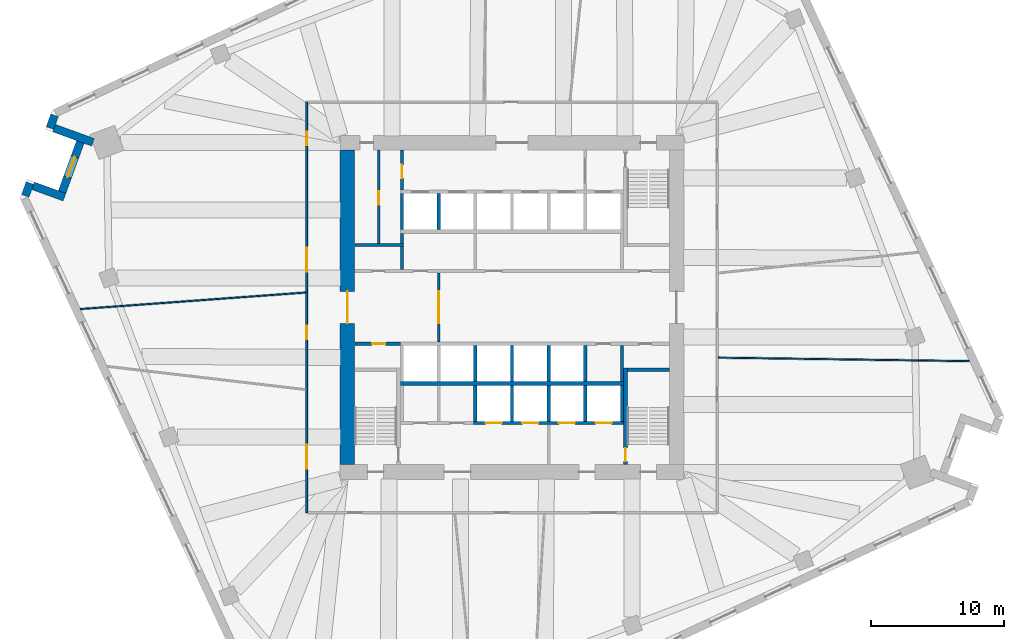
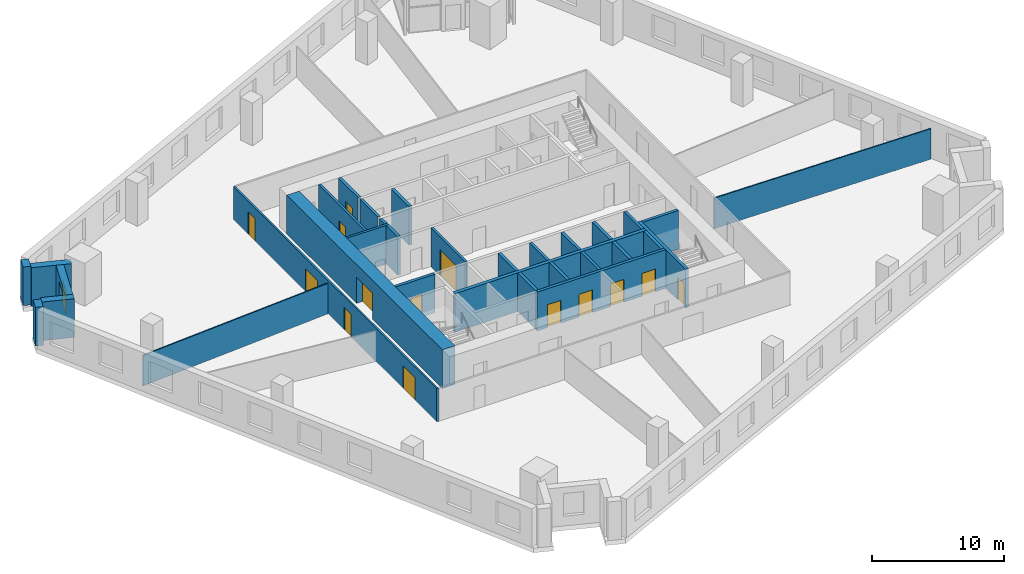
# One storey, part 7 of 12: 32 walls, 14 doors, 1 window, 15 openings.
"""IFC4 building model written with IfcOpenShell, lengths in metres."""

from ifc_helpers import new_model, si_unit, direction, frame, frame_2d, origin, place, context, subcontext, project, spatial, rectangle, extrude, material, layer, layer_set, type_object, element, fill, save


model = new_model("IFC4")

# Units and contexts
model_context = context("Model", 3, precision=1e-05, world=origin(), true_north=direction((0.0, 1.0)))
body_context = subcontext(model_context, "Body", "Model", "MODEL_VIEW")
ifc_project = project(units=[si_unit("LENGTHUNIT", "METRE"), si_unit("AREAUNIT", "SQUARE_METRE"), si_unit("VOLUMEUNIT", "CUBIC_METRE"), si_unit("PLANEANGLEUNIT", "RADIAN"), si_unit("MASSUNIT", "GRAM", prefix="KILO")], contexts=[model_context])

# Site, building, storey
site_placement = place(None, origin())
site = spatial("IfcSite", under=ifc_project, at=site_placement, CompositionType="ELEMENT")
building_placement = place(site_placement, origin())
building = spatial("IfcBuilding", under=site, at=building_placement, Name="Dilmun Exchange Tower", CompositionType="ELEMENT")
storey_placement = place(building_placement, frame((0.0, 0.0, 122.10009765625)))
storey = spatial("IfcBuildingStorey", under=building, at=storey_placement, Name="L28", CompositionType="ELEMENT", Elevation=122.10009765625)

# Wall, opening, door
ifc_material_1 = material(Name="Concrete C40/50", Category="concrete")
ifc_layer_1 = layer(ifc_material_1, 0.199951171875)
ifc_layer_set_1 = layer_set([ifc_layer_1], Name="Concrete C40/50")
wall_type_1 = type_object("IfcWallType", Name="Core partition wall 200", PredefinedType="PARTITIONING", material=ifc_layer_set_1)
wall_1_placement = place(storey_placement, frame((-5.5, -2.594970703125, 0.0), z_axis=(0.0, 0.0, 1.0), x_axis=(0.0, 1.0, 0.0)))
wall_1 = element("IfcWall", 1, at=wall_1_placement, inside=storey, type_object=wall_type_1, Name="L28 core partition wall 08", PredefinedType="PARTITIONING", context=body_context, shape_type="SweptSolid", body=[
    extrude(rectangle(XDim=5.18994140625, YDim=0.199951171875, at=frame_2d((2.594970703125, 0.0))), origin(), (0.0, 0.0, 1.0), 3.579833984375),
])
opening_1_placement = place(wall_1_placement, frame((1.39501953125, 0.0, 0.0)))
opening_1 = element("IfcOpeningElement", 2, at=opening_1_placement, cuts=wall_1, Name="Opening CD1", PredefinedType="OPENING", context=body_context, shape_type="SweptSolid", body=[
    extrude(rectangle(XDim=2.39990234375, YDim=2.39990234375, at=frame_2d((1.199951171875, 1.199951171875))), frame((0.0, 0.10986328125, 0.0), z_axis=(0.0, -1.0, 0.0), x_axis=(1.0, 0.0, 0.0)), (0.0, 0.0, 1.0), 0.219970703125),
])
ifc_material_2 = material(Name="Fire-rated steel door set", Category="steel")
door_type_1 = type_object("IfcDoorType", Name="Core lobby door 2400x2400", OperationType="DOUBLE_DOOR_DOUBLE_SWING", PredefinedType="DOOR", material=ifc_material_2)
door_1_placement = place(opening_1_placement, origin())
door_1 = element("IfcDoor", 3, at=door_1_placement, inside=storey, type_object=door_type_1, Name="L28 door Lift lobby east", OperationType="SINGLE_SWING_LEFT", OverallHeight=2.39990234375, OverallWidth=2.39990234375, PredefinedType="DOOR", context=body_context, shape_type="SweptSolid", body=[
    extrude(rectangle(XDim=2.39990234375, YDim=2.39990234375, at=frame_2d((1.199951171875, 1.199951171875))), frame((0.0, 0.02490234375, 0.0), z_axis=(0.0, -1.0, 0.0), x_axis=(1.0, 0.0, 0.0)), (0.0, 0.0, 1.0), 0.050048828125),
])
fill(opening_1, door_1)

# Wall
wall_2_placement = place(storey_placement, frame((-11.794921875, 4.675048828125, 0.0), z_axis=(0.0, 0.0, 1.0), x_axis=(1.0, 0.0, 0.0)))
element("IfcWall", 4, at=wall_2_placement, inside=storey, type_object=wall_type_1, Name="L28 core partition wall 13", PredefinedType="PARTITIONING", context=body_context, shape_type="SweptSolid", body=[
    extrude(rectangle(XDim=3.64501953125, YDim=0.199951171875, at=frame_2d((1.822509765625, 0.0))), origin(), (0.0, 0.0, 1.0), 3.579833984375),
])

# Wall, opening, door
wall_3_placement = place(storey_placement, frame((-10.0, 4.780029296875, 0.0), z_axis=(0.0, 0.0, 1.0), x_axis=(0.0, 1.0, 0.0)))
wall_3 = element("IfcWall", 5, at=wall_3_placement, inside=storey, type_object=wall_type_1, Name="L28 core partition wall 14", PredefinedType="PARTITIONING", context=body_context, shape_type="SweptSolid", body=[
    extrude(rectangle(XDim=7.014892578125, YDim=0.199951171875, at=frame_2d((3.50732421875, 0.0))), origin(), (0.0, 0.0, 1.0), 3.579833984375),
])
opening_2_placement = place(wall_3_placement, frame((2.919921875, 0.0, 0.0)))
opening_2 = element("IfcOpeningElement", 6, at=opening_2_placement, cuts=wall_3, Name="Opening CD4", PredefinedType="OPENING", context=body_context, shape_type="SweptSolid", body=[
    extrude(rectangle(XDim=1.0, YDim=2.10009765625, at=frame_2d((0.5, 1.050048828125))), frame((0.0, 0.10986328125, 0.0), z_axis=(0.0, -1.0, 0.0), x_axis=(1.0, 0.0, 0.0)), (0.0, 0.0, 1.0), 0.219970703125),
])
door_type_2 = type_object("IfcDoorType", Name="Core room door 1000x2100", OperationType="SINGLE_SWING_LEFT", PredefinedType="DOOR", material=ifc_material_2)
door_2_placement = place(opening_2_placement, origin())
door_2 = element("IfcDoor", 7, at=door_2_placement, inside=storey, type_object=door_type_2, Name="L28 door Comms room", OperationType="SINGLE_SWING_LEFT", OverallHeight=2.10009765625, OverallWidth=1.0, PredefinedType="DOOR", context=body_context, shape_type="SweptSolid", body=[
    extrude(rectangle(XDim=1.0, YDim=2.10009765625, at=frame_2d((0.5, 1.050048828125))), frame((0.0, 0.02490234375, 0.0), z_axis=(0.0, -1.0, 0.0), x_axis=(1.0, 0.0, 0.0)), (0.0, 0.0, 1.0), 0.050048828125),
])
fill(opening_2, door_2)

# Wall
ifc_layer_2 = layer(ifc_material_1, 0.25)
ifc_layer_set_2 = layer_set([ifc_layer_2], Name="Concrete C40/50")
wall_type_2 = type_object("IfcWallType", Name="Core partition wall 250", PredefinedType="PARTITIONING", material=ifc_layer_set_2)
wall_4_placement = place(storey_placement, frame((8.25, -5.544921875, 0.0), z_axis=(0.0, 0.0, 1.0), x_axis=(0.0, 1.0, 0.0)))
element("IfcWall", 8, at=wall_4_placement, inside=storey, type_object=wall_type_2, Name="L28 core partition wall 05", PredefinedType="PARTITIONING", context=body_context, shape_type="SweptSolid", body=[
    extrude(rectangle(XDim=2.68994140625, YDim=0.25, at=frame_2d((1.344970703125, 0.0))), origin(), (0.0, 0.0, 1.0), 3.579833984375),
])

# Wall, opening, door
wall_5_placement = place(storey_placement, frame((-11.794921875, -2.72509765625, 0.0), z_axis=(0.0, 0.0, 1.0), x_axis=(1.0, 0.0, 0.0)))
wall_5 = element("IfcWall", 9, at=wall_5_placement, inside=storey, type_object=wall_type_2, Name="L28 core partition wall 06", PredefinedType="PARTITIONING", context=body_context, shape_type="SweptSolid", body=[
    extrude(rectangle(XDim=3.4150390625, YDim=0.25, at=frame_2d((1.70751953125, 0.0))), origin(), (0.0, 0.0, 1.0), 3.579833984375),
])
opening_3_placement = place(wall_5_placement, frame((1.294921875, 0.0, 0.0)))
opening_3 = element("IfcOpeningElement", 10, at=opening_3_placement, cuts=wall_5, Name="Opening CD4", PredefinedType="OPENING", context=body_context, shape_type="SweptSolid", body=[
    extrude(rectangle(XDim=1.0, YDim=2.10009765625, at=frame_2d((0.5, 1.050048828125))), frame((0.0, 0.135009765625, 0.0), z_axis=(0.0, -1.0, 0.0), x_axis=(1.0, 0.0, 0.0)), (0.0, 0.0, 1.0), 0.27001953125),
])
door_3_placement = place(opening_3_placement, origin())
door_3 = element("IfcDoor", 11, at=door_3_placement, inside=storey, type_object=door_type_2, Name="L28 door Accessible WC", OperationType="SINGLE_SWING_LEFT", OverallHeight=2.10009765625, OverallWidth=1.0, PredefinedType="DOOR", context=body_context, shape_type="SweptSolid", body=[
    extrude(rectangle(XDim=1.0, YDim=2.10009765625, at=frame_2d((0.5, 1.050048828125))), frame((0.0, 0.02490234375, 0.0), z_axis=(0.0, -1.0, 0.0), x_axis=(1.0, 0.0, 0.0)), (0.0, 0.0, 1.0), 0.050048828125),
])
fill(opening_3, door_3)

# Walls
wall_6_placement = place(storey_placement, frame((-8.25, 2.85498046875, 0.0), z_axis=(0.0, 0.0, 1.0), x_axis=(0.0, 1.0, 0.0)))
element("IfcWall", 12, at=wall_6_placement, inside=storey, type_object=wall_type_2, Name="L28 core partition wall 10", PredefinedType="PARTITIONING", context=body_context, shape_type="SweptSolid", body=[
    extrude(rectangle(XDim=1.715087890625, YDim=0.25, at=frame_2d((0.857421875, 0.0))), origin(), (0.0, 0.0, 1.0), 3.579833984375),
])
wall_7_placement = place(storey_placement, frame((-8.25, 4.780029296875, 0.0), z_axis=(0.0, 0.0, 1.0), x_axis=(0.0, 1.0, 0.0)))
element("IfcWall", 13, at=wall_7_placement, inside=storey, type_object=wall_type_2, Name="L28 core partition wall 15", PredefinedType="PARTITIONING", context=body_context, shape_type="SweptSolid", body=[
    extrude(rectangle(XDim=0.764892578125, YDim=0.25, at=frame_2d((0.38232421875, 0.0))), origin(), (0.0, 0.0, 1.0), 3.579833984375),
])

# Wall, opening, door
wall_8_placement = place(storey_placement, frame((-8.25, 8.804931640625, 0.0), z_axis=(0.0, 0.0, 1.0), x_axis=(0.0, 1.0, 0.0)))
wall_8 = element("IfcWall", 14, at=wall_8_placement, inside=storey, type_object=wall_type_2, Name="L28 core partition wall 16", PredefinedType="PARTITIONING", context=body_context, shape_type="SweptSolid", body=[
    extrude(rectangle(XDim=2.989990234375, YDim=0.25, at=frame_2d((1.4951171875, 0.0))), origin(), (0.0, 0.0, 1.0), 3.579833984375),
])
opening_4_placement = place(wall_8_placement, frame((0.89501953125, 0.0, 0.0)))
opening_4 = element("IfcOpeningElement", 15, at=opening_4_placement, cuts=wall_8, Name="Opening CD4", PredefinedType="OPENING", context=body_context, shape_type="SweptSolid", body=[
    extrude(rectangle(XDim=1.0, YDim=2.10009765625, at=frame_2d((0.5, 1.050048828125))), frame((0.0, 0.135009765625, 0.0), z_axis=(0.0, -1.0, 0.0), x_axis=(1.0, 0.0, 0.0)), (0.0, 0.0, 1.0), 0.27001953125),
])
door_4_placement = place(opening_4_placement, origin())
door_4 = element("IfcDoor", 16, at=door_4_placement, inside=storey, type_object=door_type_2, Name="L28 door Security room", OperationType="SINGLE_SWING_LEFT", OverallHeight=2.10009765625, OverallWidth=1.0, PredefinedType="DOOR", context=body_context, shape_type="SweptSolid", body=[
    extrude(rectangle(XDim=1.0, YDim=2.10009765625, at=frame_2d((0.5, 1.050048828125))), frame((0.0, 0.02490234375, 0.0), z_axis=(0.0, -1.0, 0.0), x_axis=(1.0, 0.0, 0.0)), (0.0, 0.0, 1.0), 0.050048828125),
])
fill(opening_4, door_4)

ifc_material_3 = material(Name="Concrete C80/95", Category="concrete")
ifc_layer_3 = layer(ifc_material_3, 1.10009765625)
ifc_layer_set_3 = layer_set([ifc_layer_3], Name="Concrete C80/95")
wall_type_3 = type_object("IfcWallType", Name="Core shear wall 1100 Concrete C80/95", PredefinedType="SHEAR", material=ifc_layer_set_3)
wall_9_placement = place(storey_placement, frame((-12.35009765625, -11.800048828125, 0.0), z_axis=(0.0, 0.0, 1.0), x_axis=(0.0, 1.0, 0.0)))
wall_9 = element("IfcWall", 17, at=wall_9_placement, inside=storey, type_object=wall_type_3, Name="L28 core shear wall W", PredefinedType="SHEAR", context=body_context, shape_type="SweptSolid", body=[
    extrude(rectangle(XDim=23.60009765625, YDim=1.10009765625, at=frame_2d((11.800048828125, 0.0))), origin(), (0.0, 0.0, 1.0), 3.579833984375),
])
opening_5_placement = place(wall_9_placement, frame((10.60009765625, 0.0, 0.0)))
opening_5 = element("IfcOpeningElement", 18, at=opening_5_placement, cuts=wall_9, Name="Opening CD1", PredefinedType="OPENING", context=body_context, shape_type="SweptSolid", body=[
    extrude(rectangle(XDim=2.39990234375, YDim=2.39990234375, at=frame_2d((1.199951171875, 1.199951171875))), frame((0.0, 0.56005859375, 0.0), z_axis=(0.0, -1.0, 0.0), x_axis=(1.0, 0.0, 0.0)), (0.0, 0.0, 1.0), 1.1201171875),
])
door_5_placement = place(opening_5_placement, origin())
door_5 = element("IfcDoor", 19, at=door_5_placement, inside=storey, type_object=door_type_1, Name="L28 door Central lift lobby", OperationType="SINGLE_SWING_LEFT", OverallHeight=2.39990234375, OverallWidth=2.39990234375, PredefinedType="DOOR", context=body_context, shape_type="SweptSolid", body=[
    extrude(rectangle(XDim=2.39990234375, YDim=2.39990234375, at=frame_2d((1.199951171875, 1.199951171875))), frame((0.0, 0.02490234375, 0.0), z_axis=(0.0, -1.0, 0.0), x_axis=(1.0, 0.0, 0.0)), (0.0, 0.0, 1.0), 0.050048828125),
])
fill(opening_5, door_5)

# Wall, openings, doors
ifc_material_4 = material(Name="Corridor wall 150")
ifc_layer_4 = layer(ifc_material_4, 0.14990234375)
ifc_layer_set_4 = layer_set([ifc_layer_4], Name="Corridor wall 150")
wall_type_4 = type_object("IfcWallType", Name="Corridor wall 150", PredefinedType="PARTITIONING", material=ifc_layer_set_4)
wall_10_placement = place(storey_placement, frame((-15.39990234375, -15.39990234375, 0.0), z_axis=(0.0, 0.0, 1.0), x_axis=(0.0, 1.0, 0.0)))
wall_10 = element("IfcWall", 20, at=wall_10_placement, inside=storey, type_object=wall_type_4, Name="Corridor wall", PredefinedType="PARTITIONING", context=body_context, shape_type="SweptSolid", body=[
    extrude(rectangle(XDim=30.7998046875, YDim=0.14990234375, at=frame_2d((15.39990234375, 0.0))), origin(), (0.0, 0.0, 1.0), 3.079833984375),
])
opening_6_placement = place(wall_10_placement, frame((13.023681640625, 0.0, 0.0)))
opening_6 = element("IfcOpeningElement", 21, at=opening_6_placement, cuts=wall_10, Name="Opening TF28-D01", PredefinedType="OPENING", context=body_context, shape_type="SweptSolid", body=[
    extrude(rectangle(XDim=1.0, YDim=2.10009765625, at=frame_2d((0.5, 1.050048828125))), frame((0.0, 0.0849609375, 0.0), z_axis=(0.0, -1.0, 0.0), x_axis=(1.0, 0.0, 0.0)), (0.0, 0.0, 1.0), 0.169921875),
])
opening_7_placement = place(wall_10_placement, frame((18.06884765625, 0.0, 0.0)))
opening_7 = element("IfcOpeningElement", 22, at=opening_7_placement, cuts=wall_10, Name="Opening TF28-D02", PredefinedType="OPENING", context=body_context, shape_type="SweptSolid", body=[
    extrude(rectangle(XDim=1.800048828125, YDim=2.10009765625, at=frame_2d((0.89990234375, 1.050048828125))), frame((0.0, 0.0849609375, 0.0), z_axis=(0.0, -1.0, 0.0), x_axis=(1.0, 0.0, 0.0)), (0.0, 0.0, 1.0), 0.169921875),
])
opening_8_placement = place(wall_10_placement, frame((27.56884765625, 0.0, 0.0)))
opening_8 = element("IfcOpeningElement", 23, at=opening_8_placement, cuts=wall_10, Name="Opening TF28-D03", PredefinedType="OPENING", context=body_context, shape_type="SweptSolid", body=[
    extrude(rectangle(XDim=1.0, YDim=2.10009765625, at=frame_2d((0.5, 1.050048828125))), frame((0.0, 0.0849609375, 0.0), z_axis=(0.0, -1.0, 0.0), x_axis=(1.0, 0.0, 0.0)), (0.0, 0.0, 1.0), 0.169921875),
])
opening_9_placement = place(wall_10_placement, frame((3.300048828125, 0.0, 0.0)))
opening_9 = element("IfcOpeningElement", 24, at=opening_9_placement, cuts=wall_10, Name="Opening TF28-D04", PredefinedType="OPENING", context=body_context, shape_type="SweptSolid", body=[
    extrude(rectangle(XDim=1.800048828125, YDim=2.10009765625, at=frame_2d((0.89990234375, 1.050048828125))), frame((0.0, 0.0849609375, 0.0), z_axis=(0.0, -1.0, 0.0), x_axis=(1.0, 0.0, 0.0)), (0.0, 0.0, 1.0), 0.169921875),
])
ifc_material_5 = material(Name="Fire door 1000 x 2100")
door_type_3 = type_object("IfcDoorType", Name="Fire door 1000 x 2100", OperationType="NOTDEFINED", PredefinedType="DOOR", material=ifc_material_5)
door_6_placement = place(opening_6_placement, origin())
door_6 = element("IfcDoor", 25, at=door_6_placement, inside=storey, type_object=door_type_3, Name="Door TF28-D01", OperationType="SINGLE_SWING_RIGHT", OverallHeight=2.10009765625, OverallWidth=1.0, PredefinedType="DOOR", context=body_context, shape_type="SweptSolid", body=[
    extrude(rectangle(XDim=1.0, YDim=2.10009765625, at=frame_2d((0.5, 1.050048828125))), frame((0.0, 0.02490234375, 0.0), z_axis=(0.0, -1.0, 0.0), x_axis=(1.0, 0.0, 0.0)), (0.0, 0.0, 1.0), 0.050048828125),
])
fill(opening_6, door_6)
door_7_placement = place(opening_8_placement, origin())
door_7 = element("IfcDoor", 26, at=door_7_placement, inside=storey, type_object=door_type_3, Name="Door TF28-D03", OperationType="SINGLE_SWING_LEFT", OverallHeight=2.10009765625, OverallWidth=1.0, PredefinedType="DOOR", context=body_context, shape_type="SweptSolid", body=[
    extrude(rectangle(XDim=1.0, YDim=2.10009765625, at=frame_2d((0.5, 1.050048828125))), frame((0.0, 0.02490234375, 0.0), z_axis=(0.0, -1.0, 0.0), x_axis=(1.0, 0.0, 0.0)), (0.0, 0.0, 1.0), 0.050048828125),
])
fill(opening_8, door_7)
ifc_material_6 = material(Name="Fire door pair 1800 x 2100")
door_type_4 = type_object("IfcDoorType", Name="Fire door pair 1800 x 2100", OperationType="NOTDEFINED", PredefinedType="DOOR", material=ifc_material_6)
door_8_placement = place(opening_7_placement, origin())
door_8 = element("IfcDoor", 27, at=door_8_placement, inside=storey, type_object=door_type_4, Name="Door TF28-D02", OperationType="DOUBLE_DOOR_SINGLE_SWING", OverallHeight=2.10009765625, OverallWidth=1.800048828125, PredefinedType="DOOR", context=body_context, shape_type="SweptSolid", body=[
    extrude(rectangle(XDim=1.800048828125, YDim=2.10009765625, at=frame_2d((0.89990234375, 1.050048828125))), frame((0.0, 0.02490234375, 0.0), z_axis=(0.0, -1.0, 0.0), x_axis=(1.0, 0.0, 0.0)), (0.0, 0.0, 1.0), 0.050048828125),
])
fill(opening_7, door_8)
door_9_placement = place(opening_9_placement, origin())
door_9 = element("IfcDoor", 28, at=door_9_placement, inside=storey, type_object=door_type_4, Name="Door TF28-D04", OperationType="DOUBLE_DOOR_SINGLE_SWING", OverallHeight=2.10009765625, OverallWidth=1.800048828125, PredefinedType="DOOR", context=body_context, shape_type="SweptSolid", body=[
    extrude(rectangle(XDim=1.800048828125, YDim=2.10009765625, at=frame_2d((0.89990234375, 1.050048828125))), frame((0.0, 0.02490234375, 0.0), z_axis=(0.0, -1.0, 0.0), x_axis=(1.0, 0.0, 0.0)), (0.0, 0.0, 1.0), 0.050048828125),
])
fill(opening_9, door_9)

# Walls
ifc_layer_5 = layer(ifc_material_1, 0.300048828125)
ifc_layer_set_5 = layer_set([ifc_layer_5], Name="Concrete C40/50")
wall_type_5 = type_object("IfcWallType", Name="Lift shaft shared wall 300", PredefinedType="SOLIDWALL", material=ifc_layer_set_5)
wall_11_placement = place(storey_placement, frame((-8.375, -5.699951171875, 0.0), z_axis=(0.0, 0.0, 1.0), x_axis=(1.0, 0.0, 0.0)))
element("IfcWall", 29, at=wall_11_placement, inside=storey, type_object=wall_type_5, Name="L28 lift shaft rear wall S", PredefinedType="SOLIDWALL", context=body_context, shape_type="SweptSolid", body=[
    extrude(rectangle(XDim=16.75, YDim=0.300048828125, at=frame_2d((8.375, 0.0))), origin(), (0.0, 0.0, 1.0), 3.579833984375),
])
ifc_layer_6 = layer(ifc_material_1, 0.25)
ifc_layer_set_6 = layer_set([ifc_layer_6], Name="Concrete C40/50")
wall_type_6 = type_object("IfcWallType", Name="Lift shaft wall 250", PredefinedType="SOLIDWALL", material=ifc_layer_set_6)
for number, where, z_axis, x_axis, name in (
    (30, (-8.25, 5.85009765625, 0.0), (0.0, 0.0, 1.0), (0.0, 1.0, 0.0), "L28 lift shaft divider N20"),
    (31, (-5.5, 5.85009765625, 0.0), (0.0, 0.0, 1.0), (0.0, 1.0, 0.0), "L28 lift shaft divider N21"),
    (32, (-2.75, -5.550048828125, 0.0), (0.0, 0.0, 1.0), (0.0, 1.0, 0.0), "L28 lift shaft divider S12"),
    (33, (0.0, -5.550048828125, 0.0), (0.0, 0.0, 1.0), (0.0, 1.0, 0.0), "L28 lift shaft divider S13"),
    (34, (2.75, -5.550048828125, 0.0), (0.0, 0.0, 1.0), (0.0, 1.0, 0.0), "L28 lift shaft divider S14"),
    (35, (5.5, -5.550048828125, 0.0), (0.0, 0.0, 1.0), (0.0, 1.0, 0.0), "L28 lift shaft divider S15"),
):
    element("IfcWall", number, at=place(storey_placement, frame(where, z_axis=z_axis, x_axis=x_axis)), inside=storey, type_object=wall_type_6, Name=name, PredefinedType="SOLIDWALL", context=body_context, shape_type="SweptSolid", body=[
        extrude(rectangle(XDim=2.699951171875, YDim=0.25, at=frame_2d((1.35009765625, 0.0))), origin(), (0.0, 0.0, 1.0), 3.579833984375),
    ])

# Wall, openings, doors
wall_12_placement = place(storey_placement, frame((-2.875, -8.675048828125, 0.0), z_axis=(0.0, 0.0, 1.0), x_axis=(1.0, 0.0, 0.0)))
wall_12 = element("IfcWall", 36, at=wall_12_placement, inside=storey, type_object=wall_type_6, Name="L28 lift shaft front wall S2", PredefinedType="SOLIDWALL", context=body_context, shape_type="SweptSolid", body=[
    extrude(rectangle(XDim=11.25, YDim=0.25, at=frame_2d((5.625, 0.0))), origin(), (0.0, 0.0, 1.0), 3.579833984375),
])
opening_10_placement = place(wall_12_placement, frame((0.89990234375, 0.0, 0.0)))
opening_10 = element("IfcOpeningElement", 37, at=opening_10_placement, cuts=wall_12, Name="Opening LD", PredefinedType="OPENING", context=body_context, shape_type="SweptSolid", body=[
    extrude(rectangle(XDim=1.199951171875, YDim=2.10009765625, at=frame_2d((0.60009765625, 1.050048828125))), frame((0.0, 0.135009765625, 0.0), z_axis=(0.0, -1.0, 0.0), x_axis=(1.0, 0.0, 0.0)), (0.0, 0.0, 1.0), 0.27001953125),
])
opening_11_placement = place(wall_12_placement, frame((3.64990234375, 0.0, 0.0)))
opening_11 = element("IfcOpeningElement", 38, at=opening_11_placement, cuts=wall_12, Name="Opening LD", PredefinedType="OPENING", context=body_context, shape_type="SweptSolid", body=[
    extrude(rectangle(XDim=1.199951171875, YDim=2.10009765625, at=frame_2d((0.60009765625, 1.050048828125))), frame((0.0, 0.135009765625, 0.0), z_axis=(0.0, -1.0, 0.0), x_axis=(1.0, 0.0, 0.0)), (0.0, 0.0, 1.0), 0.27001953125),
])
opening_12_placement = place(wall_12_placement, frame((6.39990234375, 0.0, 0.0)))
opening_12 = element("IfcOpeningElement", 39, at=opening_12_placement, cuts=wall_12, Name="Opening LD", PredefinedType="OPENING", context=body_context, shape_type="SweptSolid", body=[
    extrude(rectangle(XDim=1.199951171875, YDim=2.10009765625, at=frame_2d((0.60009765625, 1.050048828125))), frame((0.0, 0.135009765625, 0.0), z_axis=(0.0, -1.0, 0.0), x_axis=(1.0, 0.0, 0.0)), (0.0, 0.0, 1.0), 0.27001953125),
])
opening_13_placement = place(wall_12_placement, frame((9.14990234375, 0.0, 0.0)))
opening_13 = element("IfcOpeningElement", 40, at=opening_13_placement, cuts=wall_12, Name="Opening LD", PredefinedType="OPENING", context=body_context, shape_type="SweptSolid", body=[
    extrude(rectangle(XDim=1.199951171875, YDim=2.10009765625, at=frame_2d((0.60009765625, 1.050048828125))), frame((0.0, 0.135009765625, 0.0), z_axis=(0.0, -1.0, 0.0), x_axis=(1.0, 0.0, 0.0)), (0.0, 0.0, 1.0), 0.27001953125),
])
door_type_5 = type_object("IfcDoorType", Name="Lift landing door 1200x2100", OperationType="DOUBLE_DOOR_SLIDING", PredefinedType="DOOR", material=ifc_material_2)
door_10_placement = place(opening_10_placement, origin())
door_10 = element("IfcDoor", 41, at=door_10_placement, inside=storey, type_object=door_type_5, Name="L28 landing door SV1", OperationType="DOUBLE_DOOR_SLIDING", OverallHeight=2.10009765625, OverallWidth=1.199951171875, PredefinedType="DOOR", context=body_context, shape_type="SweptSolid", body=[
    extrude(rectangle(XDim=1.199951171875, YDim=2.10009765625, at=frame_2d((0.60009765625, 1.050048828125))), frame((0.0, 0.02490234375, 0.0), z_axis=(0.0, -1.0, 0.0), x_axis=(1.0, 0.0, 0.0)), (0.0, 0.0, 1.0), 0.050048828125),
])
fill(opening_10, door_10)
door_11_placement = place(opening_11_placement, origin())
door_11 = element("IfcDoor", 42, at=door_11_placement, inside=storey, type_object=door_type_5, Name="L28 landing door SV2", OperationType="DOUBLE_DOOR_SLIDING", OverallHeight=2.10009765625, OverallWidth=1.199951171875, PredefinedType="DOOR", context=body_context, shape_type="SweptSolid", body=[
    extrude(rectangle(XDim=1.199951171875, YDim=2.10009765625, at=frame_2d((0.60009765625, 1.050048828125))), frame((0.0, 0.02490234375, 0.0), z_axis=(0.0, -1.0, 0.0), x_axis=(1.0, 0.0, 0.0)), (0.0, 0.0, 1.0), 0.050048828125),
])
fill(opening_11, door_11)
door_12_placement = place(opening_12_placement, origin())
door_12 = element("IfcDoor", 43, at=door_12_placement, inside=storey, type_object=door_type_5, Name="L28 landing door FF1", OperationType="DOUBLE_DOOR_SLIDING", OverallHeight=2.10009765625, OverallWidth=1.199951171875, PredefinedType="DOOR", context=body_context, shape_type="SweptSolid", body=[
    extrude(rectangle(XDim=1.199951171875, YDim=2.10009765625, at=frame_2d((0.60009765625, 1.050048828125))), frame((0.0, 0.02490234375, 0.0), z_axis=(0.0, -1.0, 0.0), x_axis=(1.0, 0.0, 0.0)), (0.0, 0.0, 1.0), 0.050048828125),
])
fill(opening_12, door_12)
door_13_placement = place(opening_13_placement, origin())
door_13 = element("IfcDoor", 44, at=door_13_placement, inside=storey, type_object=door_type_5, Name="L28 landing door FF2", OperationType="DOUBLE_DOOR_SLIDING", OverallHeight=2.10009765625, OverallWidth=1.199951171875, PredefinedType="DOOR", context=body_context, shape_type="SweptSolid", body=[
    extrude(rectangle(XDim=1.199951171875, YDim=2.10009765625, at=frame_2d((0.60009765625, 1.050048828125))), frame((0.0, 0.02490234375, 0.0), z_axis=(0.0, -1.0, 0.0), x_axis=(1.0, 0.0, 0.0)), (0.0, 0.0, 1.0), 0.050048828125),
])
fill(opening_13, door_13)

# Walls
for number, where, z_axis, x_axis, name in (
    (45, (-2.75, -8.550048828125, 0.0), (0.0, 0.0, 1.0), (0.0, 1.0, 0.0), "L28 lift shaft divider S22"),
    (46, (0.0, -8.550048828125, 0.0), (0.0, 0.0, 1.0), (0.0, 1.0, 0.0), "L28 lift shaft divider S23"),
    (47, (2.75, -8.550048828125, 0.0), (0.0, 0.0, 1.0), (0.0, 1.0, 0.0), "L28 lift shaft divider S24"),
    (48, (5.5, -8.550048828125, 0.0), (0.0, 0.0, 1.0), (0.0, 1.0, 0.0), "L28 lift shaft divider S25"),
    (49, (8.25, -8.550048828125, 0.0), (0.0, 0.0, 1.0), (0.0, 1.0, 0.0), "L28 lift shaft divider S26"),
):
    element("IfcWall", number, at=place(storey_placement, frame(where, z_axis=z_axis, x_axis=x_axis)), inside=storey, type_object=wall_type_6, Name=name, PredefinedType="SOLIDWALL", context=body_context, shape_type="SweptSolid", body=[
        extrude(rectangle(XDim=2.699951171875, YDim=0.25, at=frame_2d((1.35009765625, 0.0))), origin(), (0.0, 0.0, 1.0), 3.579833984375),
    ])
ifc_material_7 = material(Name="Partition 100")
ifc_layer_7 = layer(ifc_material_7, 0.10009765625)
ifc_layer_set_7 = layer_set([ifc_layer_7], Name="Partition 100")
wall_type_7 = type_object("IfcWallType", Name="Partition 100", PredefinedType="PARTITIONING", material=ifc_layer_set_7)
wall_13_placement = place(storey_placement, frame((-32.37890625, -0.124755859375, 0.0), z_axis=(0.0, 0.0, 1.0), x_axis=(0.997314918509, 0.073232187723, 0.0)))
element("IfcWall", 50, at=wall_13_placement, inside=storey, type_object=wall_type_7, Name="Partition", PredefinedType="PARTITIONING", context=body_context, shape_type="SweptSolid", body=[
    extrude(rectangle(XDim=16.945556640625, YDim=0.10009765625, at=frame_2d((8.47265625, 0.0))), origin(), (0.0, 0.0, 1.0), 2.829833984375),
])
wall_14_placement = place(storey_placement, frame((15.4755859375, -3.76904296875, 0.0), z_axis=(0.0, 0.0, 1.0), x_axis=(0.999901379767, -0.014043886234, 0.0)))
element("IfcWall", 51, at=wall_14_placement, inside=storey, type_object=wall_type_7, Name="Partition", PredefinedType="PARTITIONING", context=body_context, shape_type="SweptSolid", body=[
    extrude(rectangle(XDim=18.844482421875, YDim=0.10009765625, at=frame_2d((9.42236328125, 0.0))), origin(), (0.0, 0.0, 1.0), 2.829833984375),
])
ifc_material_8 = material(Name="Precast concrete C50/60", Category="concrete")
ifc_layer_8 = layer(ifc_material_8, 0.60009765625)
ifc_layer_set_8 = layer_set([ifc_layer_8], Name="Precast concrete C50/60")
wall_type_8 = type_object("IfcWallType", Name="Precast stone-clad wall 600", PredefinedType="STANDARD", material=ifc_layer_set_8)
wall_15_placement = place(storey_placement, frame((-34.320068359375, 14.40380859375, 0.0), z_axis=(0.0, 0.0, 1.0), x_axis=(-0.342111355193, -0.939659417368, 0.0)))
element("IfcWall", 52, at=wall_15_placement, inside=storey, type_object=wall_type_8, Name="Facade wall L28-04", PredefinedType="STANDARD", context=body_context, shape_type="SweptSolid", body=[
    extrude(rectangle(XDim=1.01123046875, YDim=0.60009765625, at=frame_2d((0.505615234375, 0.0))), origin(), (0.0, 0.0, 1.0), 3.579833984375),
])
wall_16_placement = place(storey_placement, frame((-34.349853515625, 13.44482421875, 0.0), z_axis=(0.0, 0.0, 1.0), x_axis=(0.939708408288, -0.341976764406, 0.0)))
element("IfcWall", 53, at=wall_16_placement, inside=storey, type_object=wall_type_8, Name="Facade wall L28-05", PredefinedType="STANDARD", context=body_context, shape_type="SweptSolid", body=[
    extrude(rectangle(XDim=3.103271484375, YDim=0.60009765625, at=frame_2d((1.5517578125, 0.0))), origin(), (0.0, 0.0, 1.0), 3.579833984375),
])

# Wall, opening, window
wall_17_placement = place(storey_placement, frame((-32.385009765625, 12.41064453125, 0.0), z_axis=(0.0, 0.0, 1.0), x_axis=(-0.342037080957, -0.939686455819, 0.0)))
wall_17 = element("IfcWall", 54, at=wall_17_placement, inside=storey, type_object=wall_type_8, Name="Facade wall L28-06", PredefinedType="STANDARD", context=body_context, shape_type="SweptSolid", body=[
    extrude(rectangle(XDim=4.0, YDim=0.60009765625, at=frame_2d((2.0, 0.0))), origin(), (0.0, 0.0, 1.0), 3.579833984375),
])
opening_14_placement = place(wall_17_placement, frame((1.199951171875, 0.0, 0.89990234375)))
opening_14 = element("IfcOpeningElement", 55, at=opening_14_placement, cuts=wall_17, Name="Opening W160-210", PredefinedType="OPENING", context=body_context, shape_type="SweptSolid", body=[
    extrude(rectangle(XDim=1.60009765625, YDim=2.10009765625, at=frame_2d((0.800048828125, 1.050048828125))), frame((0.0, 0.31005859375, 0.0), z_axis=(0.0, -1.0, 0.0), x_axis=(1.0, 0.0, 0.0)), (0.0, 0.0, 1.0), 0.6201171875),
])
ifc_material_9 = material(Name="Clear low-emissivity glass in aluminium frame", Category="aluminium")
window_type = type_object("IfcWindowType", Name="Punched window 1600 x 2100", PartitioningType="DOUBLE_PANEL_VERTICAL", PredefinedType="WINDOW", material=ifc_material_9)
window_placement = place(opening_14_placement, origin())
window = element("IfcWindow", 56, at=window_placement, inside=storey, type_object=window_type, Name="Window 7.1", OverallHeight=2.10009765625, OverallWidth=1.60009765625, PartitioningType="SINGLE_PANEL", PredefinedType="WINDOW", context=body_context, shape_type="SweptSolid", body=[
    extrude(rectangle(XDim=1.60009765625, YDim=2.10009765625, at=frame_2d((0.800048828125, 1.050048828125))), frame((0.0, 0.030029296875, 0.0), z_axis=(0.0, -1.0, 0.0), x_axis=(1.0, 0.0, 0.0)), (0.0, 0.0, 1.0), 0.06005859375),
])
fill(opening_14, window)

# Walls
wall_18_placement = place(storey_placement, frame((-33.57373046875, 8.267333984375, 0.0), z_axis=(0.0, 0.0, 1.0), x_axis=(-0.939707859211, 0.341978273195, 0.0)))
element("IfcWall", 57, at=wall_18_placement, inside=storey, type_object=wall_type_8, Name="Facade wall L28-07", PredefinedType="STANDARD", context=body_context, shape_type="SweptSolid", body=[
    extrude(rectangle(XDim=2.5, YDim=0.60009765625, at=frame_2d((1.25, 0.0))), origin(), (0.0, 0.0, 1.0), 3.579833984375),
])
wall_19_placement = place(storey_placement, frame((-36.1708984375, 9.31884765625, 0.0), z_axis=(0.0, 0.0, 1.0), x_axis=(-0.34189815265, -0.939737012794, 0.0)))
element("IfcWall", 58, at=wall_19_placement, inside=storey, type_object=wall_type_8, Name="Facade wall L28-08", PredefinedType="STANDARD", context=body_context, shape_type="SweptSolid", body=[
    extrude(rectangle(XDim=1.01123046875, YDim=0.60009765625, at=frame_2d((0.505615234375, 0.0))), origin(), (0.0, 0.0, 1.0), 3.579833984375),
])
ifc_layer_9 = layer(ifc_material_1, 0.25)
ifc_layer_set_9 = layer_set([ifc_layer_9], Name="Concrete C40/50")
wall_type_9 = type_object("IfcWallType", Name="Stair end wall 250", PredefinedType="SOLIDWALL", material=ifc_layer_set_9)
wall_20_placement = place(storey_placement, frame((8.64990234375, -4.675048828125, 0.0), z_axis=(0.0, 0.0, 1.0), x_axis=(1.0, 0.0, 0.0)))
element("IfcWall", 59, at=wall_20_placement, inside=storey, type_object=wall_type_9, Name="L28 ST3 far wall", PredefinedType="SOLIDWALL", context=body_context, shape_type="SweptSolid", body=[
    extrude(rectangle(XDim=3.150146484375, YDim=0.25, at=frame_2d((1.5751953125, 0.0))), origin(), (0.0, 0.0, 1.0), 3.579833984375),
])

# Wall, opening, door
ifc_layer_10 = layer(ifc_material_1, 0.27490234375)
ifc_layer_set_10 = layer_set([ifc_layer_10], Name="Concrete C40/50")
wall_type_10 = type_object("IfcWallType", Name="Stair wall 275", PredefinedType="SOLIDWALL", material=ifc_layer_set_10)
wall_21_placement = place(storey_placement, frame((8.512451171875, -4.550048828125, 0.0), z_axis=(0.0, 0.0, 1.0), x_axis=(0.0, -1.0, 0.0)))
wall_21 = element("IfcWall", 60, at=wall_21_placement, inside=storey, type_object=wall_type_10, Name="L28 ST3 wall to lift block", PredefinedType="SOLIDWALL", context=body_context, shape_type="SweptSolid", body=[
    extrude(rectangle(XDim=7.25, YDim=0.27490234375, at=frame_2d((3.625, 0.0))), origin(), (0.0, 0.0, 1.0), 3.579833984375),
])
opening_15_placement = place(wall_21_placement, frame((6.0, 0.0, 0.0)))
opening_15 = element("IfcOpeningElement", 61, at=opening_15_placement, cuts=wall_21, Name="Opening CD4", PredefinedType="OPENING", context=body_context, shape_type="SweptSolid", body=[
    extrude(rectangle(XDim=1.0, YDim=2.10009765625, at=frame_2d((0.5, 1.050048828125))), frame((0.0, 0.1474609375, 0.0), z_axis=(0.0, -1.0, 0.0), x_axis=(1.0, 0.0, 0.0)), (0.0, 0.0, 1.0), 0.294921875),
])
door_14_placement = place(opening_15_placement, origin())
door_14 = element("IfcDoor", 62, at=door_14_placement, inside=storey, type_object=door_type_2, Name="L28 door ST3 from lobby", OperationType="SINGLE_SWING_LEFT", OverallHeight=2.10009765625, OverallWidth=1.0, PredefinedType="DOOR", context=body_context, shape_type="SweptSolid", body=[
    extrude(rectangle(XDim=1.0, YDim=2.10009765625, at=frame_2d((0.5, 1.050048828125))), frame((0.0, 0.02490234375, 0.0), z_axis=(0.0, -1.0, 0.0), x_axis=(1.0, 0.0, 0.0)), (0.0, 0.0, 1.0), 0.050048828125),
])
fill(opening_15, door_14)

save(model, "model.ifc")
